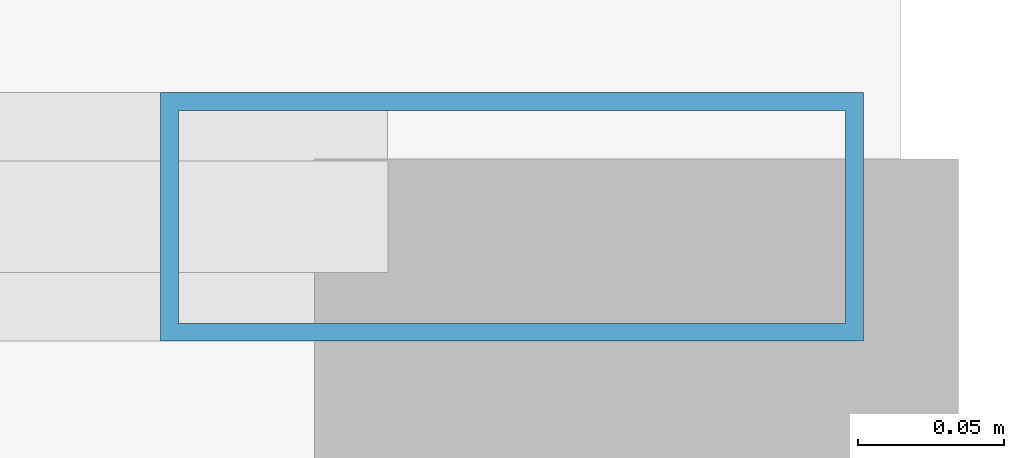
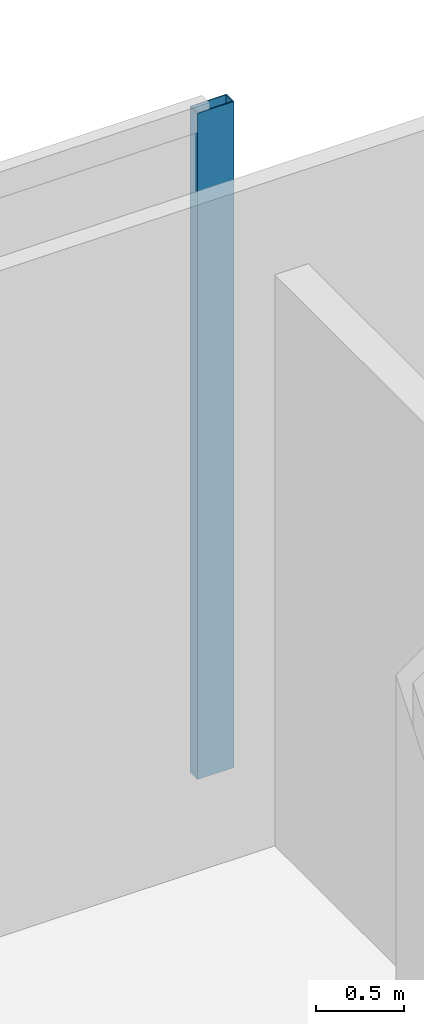
# One storey, part 24 of 32: 1 member, 1 element without a shape of its own.
"""IFC4 building model written with IfcOpenShell, lengths in metres."""

from ifc_helpers import new_model, si_unit, direction, frame, origin, origin_2d, place, context, subcontext, project, spatial, hollow_rectangle, extrude, material, material_profile, profile_set, type_object, element, aggregate, save


model = new_model("IFC4")

# Units and contexts
model_context = context("Model", 3, precision=1e-05, world=origin(), true_north=direction((0.0, 1.0)))
body_context = subcontext(model_context, "Body", "Model", "MODEL_VIEW")
ifc_project = project(units=[si_unit("LENGTHUNIT", "METRE"), si_unit("AREAUNIT", "SQUARE_METRE"), si_unit("VOLUMEUNIT", "CUBIC_METRE"), si_unit("PLANEANGLEUNIT", "RADIAN"), si_unit("MASSUNIT", "GRAM", prefix="KILO")], contexts=[model_context])

# Site, building, storey
site_placement = place(None, origin())
site = spatial("IfcSite", under=ifc_project, at=site_placement, CompositionType="ELEMENT")
building_placement = place(site_placement, origin())
building = spatial("IfcBuilding", under=site, at=building_placement, Name="Khoronbel Lancet Exchange", CompositionType="ELEMENT")
storey_placement = place(building_placement, frame((0.0, 0.0, 85.800048828125)))
storey = spatial("IfcBuildingStorey", under=building, at=storey_placement, Name="L20", CompositionType="ELEMENT", Elevation=85.800048828125)

# Curtain wall, member
ifc_material_1 = material(Name="Low-E Solar Control Insulating Glass", Category="glass")
curtain_wall_type = type_object("IfcCurtainWallType", Name="CW-2", PredefinedType="NOTDEFINED", material=ifc_material_1)
curtain_wall_placement = place(storey_placement, origin())
curtain_wall = element("IfcCurtainWall", 1, at=curtain_wall_placement, inside=storey, type_object=curtain_wall_type, Name="Unitised curtain wall CW-L20-NEFLK", PredefinedType="NOTDEFINED")
ifc_material_2 = material(Name="Bronze-Anodised Aluminium 6063-T6", Category="aluminium")
ifc_material_profile = material_profile(ifc_material_2, hollow_rectangle(XDim=0.0849609375, YDim=0.239990234375, WallThickness=0.006103515625, at=origin_2d()), Name="ALU MULLION 85x240")
ifc_profile_set = profile_set([ifc_material_profile], Name="Bronze-Anodised Aluminium 6063-T6")
member_type = type_object("IfcMemberType", Name="MEM-CWM1", PredefinedType="MULLION", material=ifc_profile_set)
member_placement = place(storey_placement, frame((65.91748046875, 53.610107421875, 0.0), z_axis=(0.0, 0.0, 1.0), x_axis=(0.0, -1.0, 0.0)))
member = element("IfcMember", 2, at=member_placement, type_object=member_type, Name="CW2 mullion 1", PredefinedType="MULLION", context=body_context, shape_type="SweptSolid", body=[
    extrude(hollow_rectangle(XDim=0.0849609375, YDim=0.239990234375, WallThickness=0.006103515625, at=origin_2d()), origin(), (0.0, 0.0, 1.0), 4.619873046875),
])
aggregate(curtain_wall, [member])

save(model, "model.ifc")
